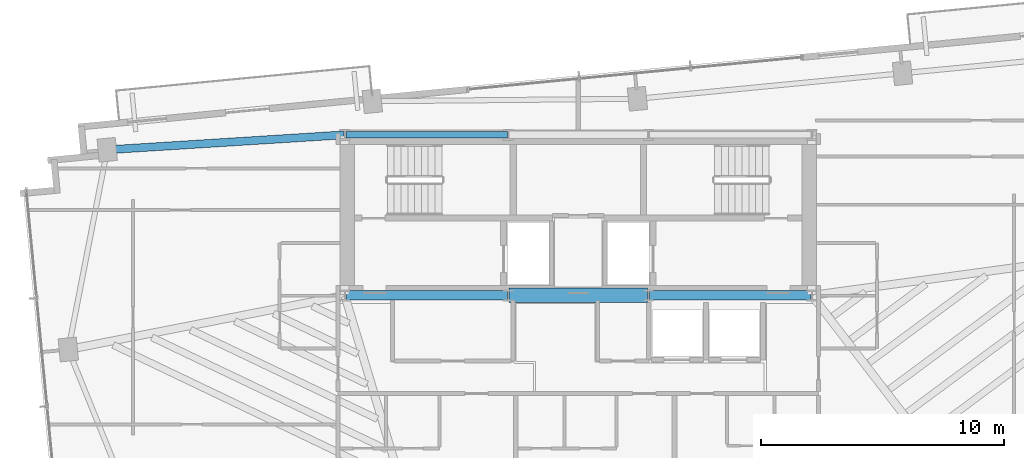
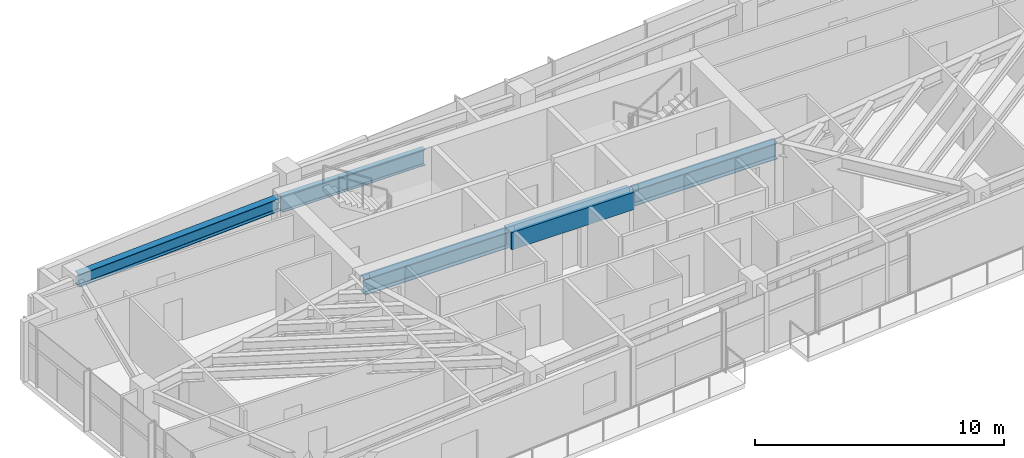
# One storey, part 5 of 18: 5 beams.
"""IFC4 building model written with IfcOpenShell, lengths in metres."""

from ifc_helpers import new_model, si_unit, direction, frame, origin, origin_2d, place, context, subcontext, project, spatial, rectangle, i_section, extrude, source, transform, mapped, material, material_profile, profile_set, type_object, type_shapes, element, save


model = new_model("IFC4")

# Units and contexts
model_context = context("Model", 3, precision=1e-05, world=origin(), true_north=direction((0.0, 1.0)))
body_context = subcontext(model_context, "Body", "Model", "MODEL_VIEW")
ifc_project = project(units=[si_unit("LENGTHUNIT", "METRE"), si_unit("AREAUNIT", "SQUARE_METRE"), si_unit("VOLUMEUNIT", "CUBIC_METRE"), si_unit("PLANEANGLEUNIT", "RADIAN"), si_unit("MASSUNIT", "GRAM", prefix="KILO")], contexts=[model_context])

# Site, building, storey
site_placement = place(None, origin())
site = spatial("IfcSite", under=ifc_project, at=site_placement, CompositionType="ELEMENT")
building_placement = place(site_placement, origin())
building = spatial("IfcBuilding", under=site, at=building_placement, Name="Astriad Promenade Condominiums", CompositionType="ELEMENT")
storey_placement = place(building_placement, frame((0.0, 0.0, 201.800048828125)))
storey = spatial("IfcBuildingStorey", under=building, at=storey_placement, Name="L58", CompositionType="ELEMENT", Elevation=201.800048828125)

# Beams
ifc_material_1 = material(Name="Steel ASTM A992 Grade 50", Category="steel")
ifc_material_profile_1 = material_profile(ifc_material_1, i_section(OverallWidth=0.3837890625, OverallDepth=0.785888671875, WebThickness=0.019775390625, FlangeThickness=0.033447265625, FilletRadius=0.021484375, at=origin_2d()), Name="W30X211")
ifc_profile_set_1 = profile_set([ifc_material_profile_1], Name="Steel ASTM A992 Grade 50")
beam_type_1 = type_object("IfcBeamType", Name="STEEL FLOOR GIRDER W30X211", PredefinedType="BEAM", material=ifc_profile_set_1)
shared_shape_1 = source(origin(), body_context, "Body", "SweptSolid", [
    extrude(i_section(OverallWidth=0.3837890625, OverallDepth=0.785888671875, WebThickness=0.019775390625, FlangeThickness=0.033447265625, FilletRadius=0.021484375, at=origin_2d()), origin(), (0.0, 0.0, 1.0), 6.64013671875),
])
type_shapes(beam_type_1, [shared_shape_1])
for number, where, z_axis, x_axis, name in (
    (1, (26.43994140625, 17.39990234375, 2.546875), (1.0, 0.0, 0.0), (0.0, 1.0, 0.0), "Core Ring Beam CG-S1-L58"),
    (2, (38.919921875, 17.39990234375, 2.546875), (1.0, 0.0, 0.0), (0.0, 1.0, 0.0), "Core Ring Beam CG-S3-L58"),
):
    element("IfcBeam", number, at=place(storey_placement, frame(where, z_axis=z_axis, x_axis=x_axis)), inside=storey, type_object=beam_type_1, Name=name, PredefinedType="BEAM", context=body_context, shape_type="MappedRepresentation", body=[
        mapped(shared_shape_1, transform((0.0, 0.0, 0.0), scale=1.0)),
    ])
ifc_material_profile_2 = material_profile(ifc_material_1, i_section(OverallWidth=0.267822265625, OverallDepth=0.76953125, WebThickness=0.015625, FlangeThickness=0.025390625, FilletRadius=0.021484375, at=origin_2d()), Name="W30X132")
ifc_profile_set_2 = profile_set([ifc_material_profile_2], Name="Steel ASTM A992 Grade 50")
beam_type_2 = type_object("IfcBeamType", Name="STEEL FLOOR GIRDER W30X132", PredefinedType="BEAM", material=ifc_profile_set_2)
shared_shape_2 = source(origin(), body_context, "Body", "SweptSolid", [
    extrude(i_section(OverallWidth=0.267822265625, OverallDepth=0.76953125, WebThickness=0.015625, FlangeThickness=0.025390625, FilletRadius=0.021484375, at=origin_2d()), origin(), (0.0, 0.0, 1.0), 6.64013671875),
])
type_shapes(beam_type_2, [shared_shape_2])
beam_1_placement = place(storey_placement, frame((26.43994140625, 24.0, 2.55517578125), z_axis=(1.0, 0.0, 0.0), x_axis=(0.0, 1.0, 0.0)))
element("IfcBeam", 3, at=beam_1_placement, inside=storey, type_object=beam_type_2, Name="Core Ring Beam CG-N1-L58", PredefinedType="BEAM", context=body_context, shape_type="MappedRepresentation", body=[
    mapped(shared_shape_2, transform((0.0, 0.0, 0.0), scale=1.0)),
])
ifc_material_2 = material(Name="Concrete C60/75", Category="concrete")
ifc_material_profile_3 = material_profile(ifc_material_2, rectangle(XDim=0.60009765625, YDim=0.85009765625, at=origin_2d()), Name="RC-BM-600X850")
ifc_profile_set_3 = profile_set([ifc_material_profile_3], Name="Concrete C60/75")
beam_type_3 = type_object("IfcBeamType", Name="CONCRETE CORE COUPLING LINTEL 600X850", PredefinedType="LINTEL", material=ifc_profile_set_3)
shared_shape_3 = source(origin(), body_context, "Body", "SweptSolid", [
    extrude(rectangle(XDim=0.60009765625, YDim=0.85009765625, at=origin_2d()), origin(), (0.0, 0.0, 1.0), 5.68017578125),
])
type_shapes(beam_type_3, [shared_shape_3])
beam_2_placement = place(storey_placement, frame((33.159912109375, 17.39990234375, 2.514892578125), z_axis=(1.0, 0.0, 0.0), x_axis=(0.0, 1.0, 0.0)))
element("IfcBeam", 4, at=beam_2_placement, inside=storey, type_object=beam_type_3, Name="Core Ring Beam CG-S2-L58", PredefinedType="LINTEL", context=body_context, shape_type="MappedRepresentation", body=[
    mapped(shared_shape_3, transform((0.0, 0.0, 0.0), scale=1.0)),
])
ifc_material_profile_4 = material_profile(ifc_material_1, i_section(OverallWidth=0.326416015625, OverallDepth=0.621826171875, WebThickness=0.015380859375, FlangeThickness=0.0244140625, FilletRadius=0.017822265625, at=origin_2d()), Name="W24X131")
ifc_profile_set_4 = profile_set([ifc_material_profile_4], Name="Steel ASTM A992 Grade 50")
beam_type_4 = type_object("IfcBeamType", Name="STEEL FLOOR GIRDER W24X131", PredefinedType="BEAM", material=ifc_profile_set_4)
shared_shape_4 = source(origin(), body_context, "Body", "SweptSolid", [
    extrude(i_section(OverallWidth=0.326416015625, OverallDepth=0.621826171875, WebThickness=0.015380859375, FlangeThickness=0.0244140625, FilletRadius=0.017822265625, at=origin_2d()), origin(), (0.0, 0.0, 1.0), 9.707275390625),
])
type_shapes(beam_type_4, [shared_shape_4])
beam_3_placement = place(storey_placement, frame((16.672119140625, 23.38671875, 2.629150390625), z_axis=(0.998018176507, 0.062926301034, 0.0), x_axis=(-0.062926301034, 0.998018176507, 0.0)))
element("IfcBeam", 5, at=beam_3_placement, inside=storey, type_object=beam_type_4, Name="Primary Floor Girder PG-NW-L58", PredefinedType="BEAM", context=body_context, shape_type="MappedRepresentation", body=[
    mapped(shared_shape_4, transform((0.0, 0.0, 0.0), scale=1.0)),
])

save(model, "model.ifc")
